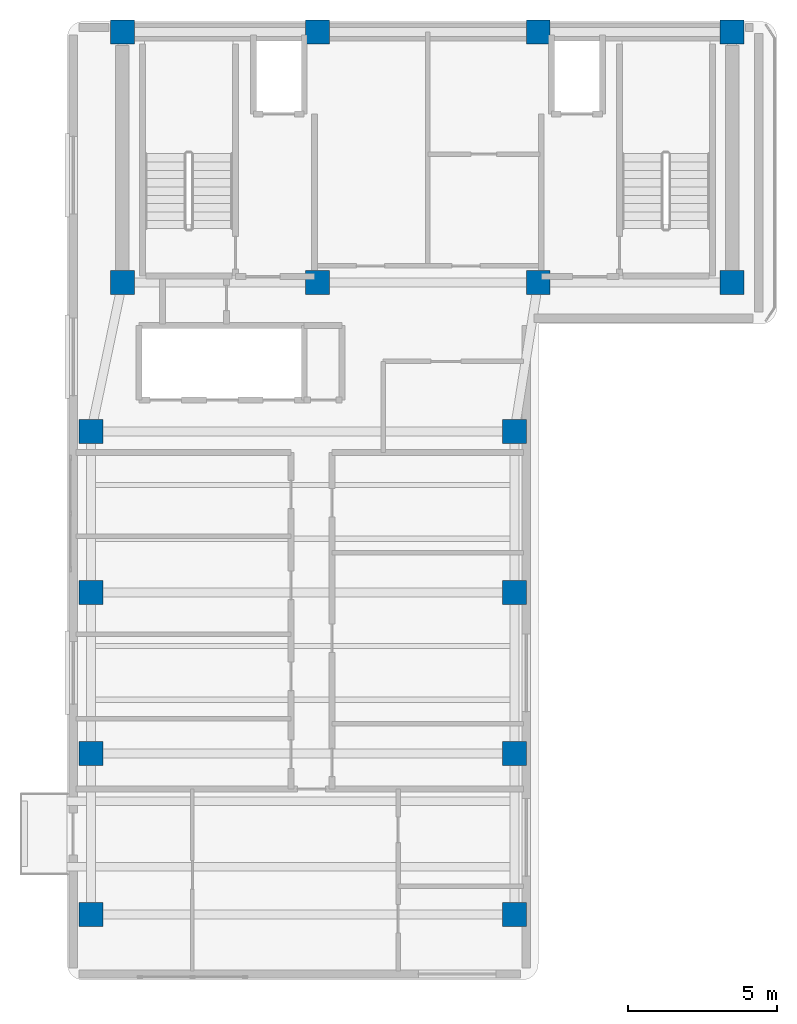
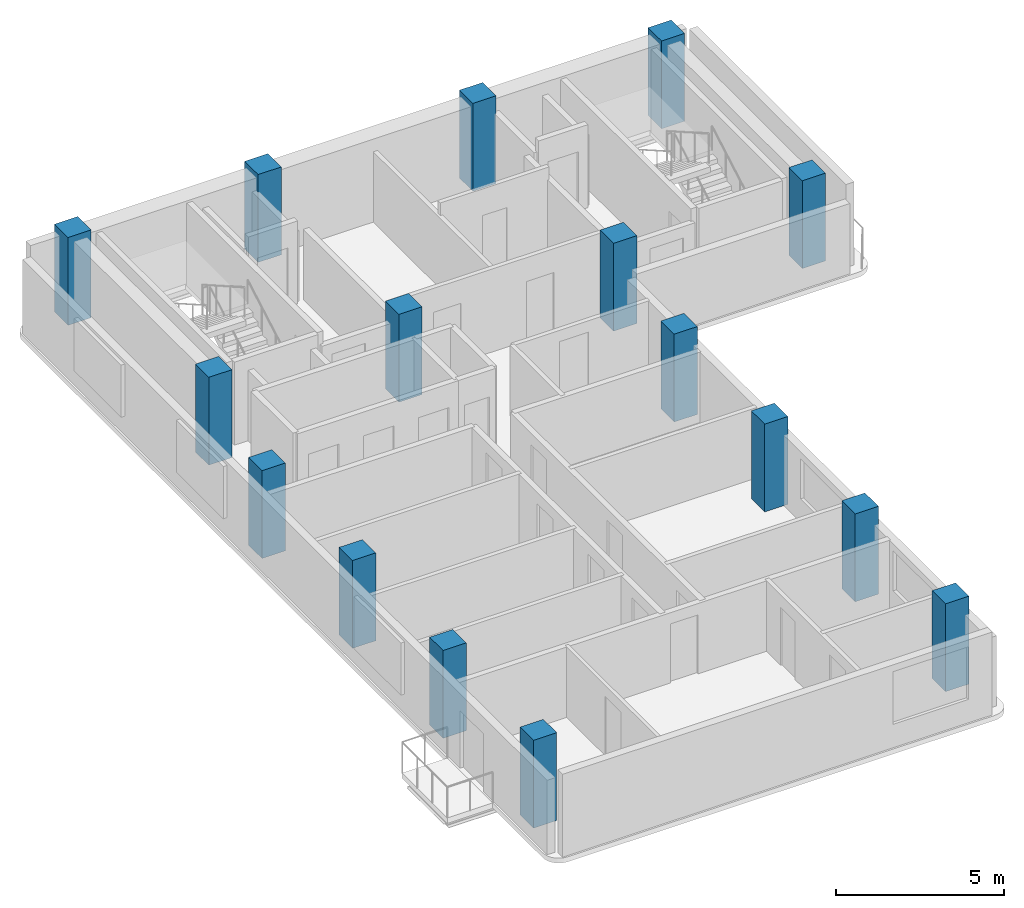
# One storey, part 1 of 11: 16 columns.
"""IFC4 building model written with IfcOpenShell, lengths in metres."""

from ifc_helpers import new_model, si_unit, direction, frame, origin, origin_2d, place, context, subcontext, project, spatial, rectangle, extrude, material, material_profile, profile_set, type_object, element, save


model = new_model("IFC4")

# Units and contexts
model_context = context("Model", 3, precision=1e-05, world=origin(), true_north=direction((0.0, 1.0)))
body_context = subcontext(model_context, "Body", "Model", "MODEL_VIEW")
ifc_project = project(units=[si_unit("LENGTHUNIT", "METRE"), si_unit("AREAUNIT", "SQUARE_METRE"), si_unit("VOLUMEUNIT", "CUBIC_METRE"), si_unit("PLANEANGLEUNIT", "RADIAN"), si_unit("MASSUNIT", "GRAM", prefix="KILO")], contexts=[model_context])

# Site, building, storey
site_placement = place(None, origin())
site = spatial("IfcSite", under=ifc_project, at=site_placement, CompositionType="ELEMENT")
building_placement = place(site_placement, origin())
building = spatial("IfcBuilding", under=site, at=building_placement, Name="Kuzgunbayir Cultural Tower", CompositionType="ELEMENT")
storey_placement = place(building_placement, frame((0.0, 0.0, 237.60009765625)))
storey = spatial("IfcBuildingStorey", under=building, at=storey_placement, Name="L70", CompositionType="ELEMENT", Elevation=237.60009765625)

# Columns
ifc_material = material(Name="Concrete C50/60", Category="concrete")
ifc_material_profile_1 = material_profile(ifc_material, rectangle(XDim=0.800048828125, YDim=0.800048828125, at=origin_2d()), Name="RC 800x800")
ifc_profile_set_1 = profile_set([ifc_material_profile_1], Name="Concrete C50/60")
column_type_1 = type_object("IfcColumnType", Name="COL-CORE-800", PredefinedType="COLUMN", material=ifc_profile_set_1)
for number, where, z_axis, x_axis, name in (
    (1, (6.449951171875, 33.800048828125, 0.0), (0.0, 0.0, 1.0), (1.0, 0.0, 0.0), "L70 T1 Core Boundary Column CC1-1"),
    (2, (13.0, 33.800048828125, 0.0), (0.0, 0.0, 1.0), (1.0, 0.0, 0.0), "L70 T1 Core Boundary Column CC1-2"),
    (3, (20.39990234375, 33.800048828125, 0.0), (0.0, 0.0, 1.0), (1.0, 0.0, 0.0), "L70 T1 Core Boundary Column CC1-3"),
    (4, (26.89990234375, 33.800048828125, 0.0), (0.0, 0.0, 1.0), (1.0, 0.0, 0.0), "L70 T1 Core Boundary Column CC1-4"),
    (5, (6.449951171875, 42.199951171875, 0.0), (0.0, 0.0, 1.0), (1.0, 0.0, 0.0), "L70 T1 Core Boundary Column CC1-5"),
    (6, (13.0, 42.199951171875, 0.0), (0.0, 0.0, 1.0), (1.0, 0.0, 0.0), "L70 T1 Core Boundary Column CC1-6"),
    (7, (20.39990234375, 42.199951171875, 0.0), (0.0, 0.0, 1.0), (1.0, 0.0, 0.0), "L70 T1 Core Boundary Column CC1-7"),
    (8, (26.89990234375, 42.199951171875, 0.0), (0.0, 0.0, 1.0), (1.0, 0.0, 0.0), "L70 T1 Core Boundary Column CC1-8"),
):
    element("IfcColumn", number, at=place(storey_placement, frame(where, z_axis=z_axis, x_axis=x_axis)), inside=storey, type_object=column_type_1, Name=name, PredefinedType="COLUMN", context=body_context, shape_type="SweptSolid", body=[
        extrude(rectangle(XDim=0.800048828125, YDim=0.800048828125, at=origin_2d()), origin(), (0.0, 0.0, 1.0), 3.199951171875),
    ])
ifc_material_profile_2 = material_profile(ifc_material, rectangle(XDim=0.800048828125, YDim=0.800048828125, at=origin_2d()), Name="RC 800x800")
ifc_profile_set_2 = profile_set([ifc_material_profile_2], Name="Concrete C50/60")
column_type_2 = type_object("IfcColumnType", Name="COL-T1-800", PredefinedType="COLUMN", material=ifc_profile_set_2)
for number, where, z_axis, x_axis, name in (
    (9, (5.39990234375, 12.60009765625, 0.0), (0.0, 0.0, 1.0), (1.0, 0.0, 0.0), "L70 Tower 1 Wing A Column T1A-W-1"),
    (10, (19.60009765625, 12.60009765625, 0.0), (0.0, 0.0, 1.0), (1.0, 0.0, 0.0), "L70 Tower 1 Wing A Column T1A-E-1"),
    (11, (5.39990234375, 18.0, 0.0), (0.0, 0.0, 1.0), (1.0, 0.0, 0.0), "L70 Tower 1 Wing A Column T1A-W-2"),
    (12, (19.60009765625, 18.0, 0.0), (0.0, 0.0, 1.0), (1.0, 0.0, 0.0), "L70 Tower 1 Wing A Column T1A-E-2"),
    (13, (5.39990234375, 23.39990234375, 0.0), (0.0, 0.0, 1.0), (1.0, 0.0, 0.0), "L70 Tower 1 Wing A Column T1A-W-3"),
    (14, (19.60009765625, 23.39990234375, 0.0), (0.0, 0.0, 1.0), (1.0, 0.0, 0.0), "L70 Tower 1 Wing A Column T1A-E-3"),
    (15, (5.39990234375, 28.800048828125, 0.0), (0.0, 0.0, 1.0), (1.0, 0.0, 0.0), "L70 Tower 1 Wing A Column T1A-W-4"),
    (16, (19.60009765625, 28.800048828125, 0.0), (0.0, 0.0, 1.0), (1.0, 0.0, 0.0), "L70 Tower 1 Wing A Column T1A-E-4"),
):
    element("IfcColumn", number, at=place(storey_placement, frame(where, z_axis=z_axis, x_axis=x_axis)), inside=storey, type_object=column_type_2, Name=name, PredefinedType="COLUMN", context=body_context, shape_type="SweptSolid", body=[
        extrude(rectangle(XDim=0.800048828125, YDim=0.800048828125, at=origin_2d()), origin(), (0.0, 0.0, 1.0), 3.199951171875),
    ])

save(model, "model.ifc")
